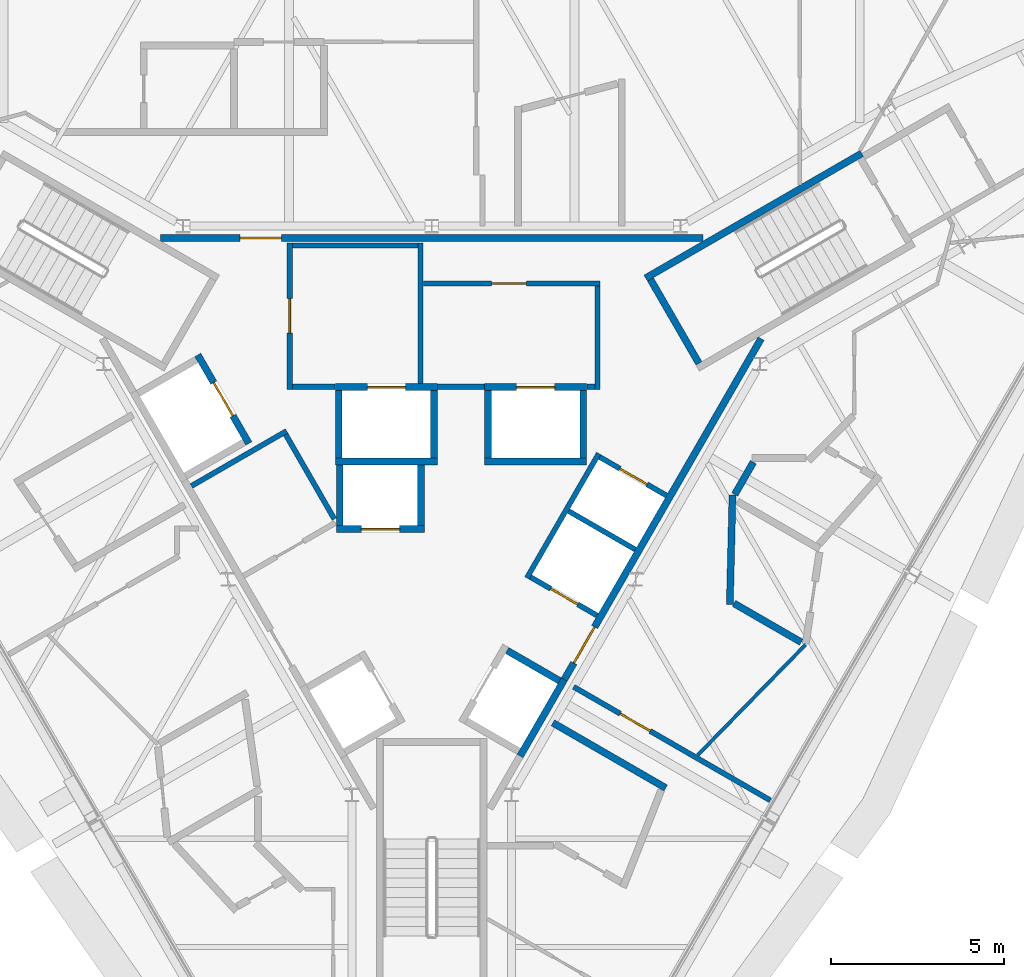
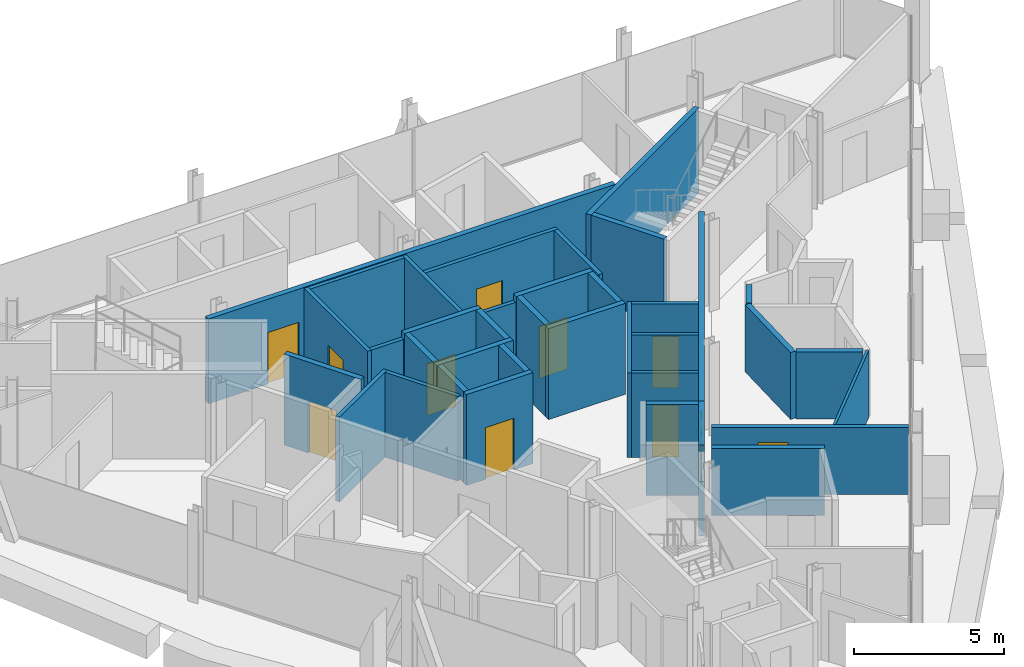
# One storey, part 9 of 13: 38 walls, 11 doors, 11 openings.
"""IFC4 building model written with IfcOpenShell, lengths in metres."""

from ifc_helpers import new_model, si_unit, direction, frame, frame_2d, origin, place, context, subcontext, project, spatial, rectangle, extrude, material, layer, layer_set, type_object, element, fill, save


model = new_model("IFC4")

# Units and contexts
model_context = context("Model", 3, precision=1e-05, world=origin(), true_north=direction((0.0, 1.0)))
body_context = subcontext(model_context, "Body", "Model", "MODEL_VIEW")
ifc_project = project(units=[si_unit("LENGTHUNIT", "METRE"), si_unit("AREAUNIT", "SQUARE_METRE"), si_unit("VOLUMEUNIT", "CUBIC_METRE"), si_unit("PLANEANGLEUNIT", "RADIAN"), si_unit("MASSUNIT", "GRAM", prefix="KILO")], contexts=[model_context])

# Site, building, storey
site_placement = place(None, origin())
site = spatial("IfcSite", under=ifc_project, at=site_placement, CompositionType="ELEMENT")
building_placement = place(site_placement, origin())
building = spatial("IfcBuilding", under=site, at=building_placement, Name="Verrane Prism Tower", CompositionType="ELEMENT")
storey_placement = place(building_placement, frame((0.0, 0.0, 282.5)))
storey = spatial("IfcBuildingStorey", under=building, at=storey_placement, Name="L71", CompositionType="ELEMENT", Elevation=282.5)

# Wall, opening, door
ifc_material_1 = material(Name="Gypsum board partition", Category="other")
ifc_layer_1 = layer(ifc_material_1, 0.199951171875)
ifc_layer_set_1 = layer_set([ifc_layer_1], Name="CW-200 core boundary wall 2 h")
wall_type_1 = type_object("IfcWallType", Name="CW-200 core boundary wall 2 h", PredefinedType="PARTITIONING", material=ifc_layer_set_1)
wall_1_placement = place(storey_placement, frame((7.8291015625, 6.4599609375, 0.0), z_axis=(0.0, 0.0, 1.0), x_axis=(-1.0, 0.0, 0.0)))
wall_1 = element("IfcWall", 1, at=wall_1_placement, inside=storey, type_object=wall_type_1, Name="Core boundary wall CW3-002", PredefinedType="PARTITIONING", context=body_context, shape_type="SweptSolid", body=[
    extrude(rectangle(XDim=15.658203125, YDim=0.199951171875, at=frame_2d((7.8291015625, 0.0))), origin(), (0.0, 0.0, 1.0), 3.449951171875),
])
opening_1_placement = place(wall_1_placement, frame((12.16796875, 0.0, 0.0)))
opening_1 = element("IfcOpeningElement", 2, at=opening_1_placement, cuts=wall_1, Name="Opening D69509", PredefinedType="OPENING", context=body_context, shape_type="SweptSolid", body=[
    extrude(rectangle(XDim=1.199951171875, YDim=2.10009765625, at=frame_2d((0.60009765625, 1.050048828125))), frame((0.0, 0.10986328125, 0.0), z_axis=(0.0, -1.0, 0.0), x_axis=(1.0, 0.0, 0.0)), (0.0, 0.0, 1.0), 0.219970703125),
])
ifc_material_2 = material(Name="Timber veneered door leaf", Category="wood")
door_type_1 = type_object("IfcDoorType", Name="DR-1200x2100 FD60 single leaf lift lobby", OperationType="NOTDEFINED", PredefinedType="DOOR", material=ifc_material_2)
door_1_placement = place(opening_1_placement, origin())
door_1 = element("IfcDoor", 3, at=door_1_placement, inside=storey, type_object=door_type_1, Name="Lift lobby door D69509", OperationType="SINGLE_SWING_RIGHT", OverallHeight=2.10009765625, OverallWidth=1.199951171875, PredefinedType="DOOR", context=body_context, shape_type="SweptSolid", body=[
    extrude(rectangle(XDim=1.199951171875, YDim=2.10009765625, at=frame_2d((0.60009765625, 1.050048828125))), frame((0.0, 0.02490234375, 0.0), z_axis=(0.0, -1.0, 0.0), x_axis=(1.0, 0.0, 0.0)), (0.0, 0.0, 1.0), 0.050048828125),
])
fill(opening_1, door_1)

wall_2_placement = place(storey_placement, frame((3.827880859375, -6.2900390625, 0.0), z_axis=(0.0, 0.0, 1.0), x_axis=(0.499979739078, 0.866037101117, 0.0)))
wall_2 = element("IfcWall", 4, at=wall_2_placement, inside=storey, type_object=wall_type_1, Name="Core boundary wall CW3-006", PredefinedType="PARTITIONING", context=body_context, shape_type="SweptSolid", body=[
    extrude(rectangle(XDim=11.36279296875, YDim=0.199951171875, at=frame_2d((5.681396484375, 0.0))), origin(), (0.0, 0.0, 1.0), 3.449951171875),
])
opening_2_placement = place(wall_2_placement, frame((0.550048828125, 0.0, 0.0)))
opening_2 = element("IfcOpeningElement", 5, at=opening_2_placement, cuts=wall_2, Name="Opening D69515", PredefinedType="OPENING", context=body_context, shape_type="SweptSolid", body=[
    extrude(rectangle(XDim=1.199951171875, YDim=2.10009765625, at=frame_2d((0.60009765625, 1.050048828125))), frame((0.0, 0.10986328125, 0.0), z_axis=(0.0, -1.0, 0.0), x_axis=(1.0, 0.0, 0.0)), (0.0, 0.0, 1.0), 0.219970703125),
])
door_2_placement = place(opening_2_placement, origin())
door_2 = element("IfcDoor", 6, at=door_2_placement, inside=storey, type_object=door_type_1, Name="Lift lobby door D69515", OperationType="SINGLE_SWING_RIGHT", OverallHeight=2.10009765625, OverallWidth=1.199951171875, PredefinedType="DOOR", context=body_context, shape_type="SweptSolid", body=[
    extrude(rectangle(XDim=1.199951171875, YDim=2.10009765625, at=frame_2d((0.60009765625, 1.050048828125))), frame((0.0, 0.02490234375, 0.0), z_axis=(0.0, -1.0, 0.0), x_axis=(1.0, 0.0, 0.0)), (0.0, 0.0, 1.0), 0.050048828125),
])
fill(opening_2, door_2)

# Walls
ifc_material_3 = material(Name="Concrete C40/50", Category="concrete")
ifc_layer_2 = layer(ifc_material_3, 0.199951171875)
ifc_layer_set_2 = layer_set([ifc_layer_2], Name="CW-200 stair core wall concrete C40/50 3 h")
wall_type_2 = type_object("IfcWallType", Name="CW-200 stair core wall concrete C40/50 3 h", PredefinedType="PARTITIONING", material=ifc_layer_set_2)
wall_3_placement = place(storey_placement, frame((6.17822265625, 5.299072265625, 0.0), z_axis=(0.0, 0.0, 1.0), x_axis=(0.866033125095, 0.499986626058, 0.0)))
element("IfcWall", 7, at=wall_3_placement, inside=storey, type_object=wall_type_2, Name="Stair 1 enclosure wall", PredefinedType="PARTITIONING", context=body_context, shape_type="SweptSolid", body=[
    extrude(rectangle(XDim=7.199951171875, YDim=0.199951171875, at=frame_2d((3.60009765625, 0.0))), origin(), (0.0, 0.0, 1.0), 3.449951171875),
])
wall_4_placement = place(storey_placement, frame((7.71484375, 2.837646484375, 0.0), z_axis=(0.0, 0.0, 1.0), x_axis=(-0.500049511043, 0.865996816683, 0.0)))
element("IfcWall", 8, at=wall_4_placement, inside=storey, type_object=wall_type_2, Name="Stair 1 enclosure wall", PredefinedType="PARTITIONING", context=body_context, shape_type="SweptSolid", body=[
    extrude(rectangle(XDim=2.800048828125, YDim=0.199951171875, at=frame_2d((1.39990234375, 0.0))), origin(), (0.0, 0.0, 1.0), 3.449951171875),
])

# Wall, opening, door
ifc_material_4 = material(Name="Gypsum board shaft wall assembly", Category="other")
ifc_layer_3 = layer(ifc_material_4, 0.199951171875)
ifc_layer_set_3 = layer_set([ifc_layer_3], Name="HW-200 lift shaft wall 2 h")
wall_type_3 = type_object("IfcWallType", Name="HW-200 lift shaft wall 2 h", PredefinedType="PARTITIONING", material=ifc_layer_set_3)
wall_5_placement = place(storey_placement, frame((-2.7548828125, -1.949951171875, 0.0), z_axis=(0.0, 0.0, 1.0), x_axis=(1.0, 0.0, 0.0)))
wall_5 = element("IfcWall", 9, at=wall_5_placement, inside=storey, type_object=wall_type_3, Name="Lift shaft wall", PredefinedType="PARTITIONING", context=body_context, shape_type="SweptSolid", body=[
    extrude(rectangle(XDim=2.5498046875, YDim=0.199951171875, at=frame_2d((1.27490234375, 0.0))), origin(), (0.0, 0.0, 1.0), 3.699951171875),
])
opening_3_placement = place(wall_5_placement, frame((0.72509765625, 0.0, 0.0)))
opening_3 = element("IfcOpeningElement", 10, at=opening_3_placement, cuts=wall_5, Name="Opening D69504", PredefinedType="OPENING", context=body_context, shape_type="SweptSolid", body=[
    extrude(rectangle(XDim=1.10009765625, YDim=2.10009765625, at=frame_2d((0.550048828125, 1.050048828125))), frame((0.0, 0.10986328125, 0.0), z_axis=(0.0, -1.0, 0.0), x_axis=(1.0, 0.0, 0.0)), (0.0, 0.0, 1.0), 0.219970703125),
])
ifc_material_5 = material(Name="Stainless steel sliding landing door", Category="steel")
door_type_2 = type_object("IfcDoorType", Name="LD-1100x2100 lift landing door FD90 sliding", OperationType="NOTDEFINED", PredefinedType="DOOR", material=ifc_material_5)
door_3_placement = place(opening_3_placement, origin())
door_3 = element("IfcDoor", 11, at=door_3_placement, inside=storey, type_object=door_type_2, Name="Bank C lift 2 landing door", OperationType="SLIDING_TO_RIGHT", OverallHeight=2.10009765625, OverallWidth=1.10009765625, PredefinedType="DOOR", context=body_context, shape_type="SweptSolid", body=[
    extrude(rectangle(XDim=1.10009765625, YDim=2.10009765625, at=frame_2d((0.550048828125, 1.050048828125))), frame((0.0, 0.02490234375, 0.0), z_axis=(0.0, -1.0, 0.0), x_axis=(1.0, 0.0, 0.0)), (0.0, 0.0, 1.0), 0.050048828125),
])
fill(opening_3, door_3)

# Walls
wall_6_placement = place(storey_placement, frame((-2.784912109375, 0.0, 0.0), z_axis=(0.0, 0.0, 1.0), x_axis=(1.0, 0.0, 0.0)))
element("IfcWall", 12, at=wall_6_placement, inside=storey, type_object=wall_type_3, Name="Lift shaft wall", PredefinedType="PARTITIONING", context=body_context, shape_type="SweptSolid", body=[
    extrude(rectangle(XDim=2.949951171875, YDim=0.199951171875, at=frame_2d((1.47509765625, 0.0))), origin(), (0.0, 0.0, 1.0), 3.699951171875),
])
wall_7_placement = place(storey_placement, frame((1.52490234375, 0.0, 0.0), z_axis=(0.0, 0.0, 1.0), x_axis=(1.0, 0.0, 0.0)))
element("IfcWall", 13, at=wall_7_placement, inside=storey, type_object=wall_type_3, Name="Lift shaft wall", PredefinedType="PARTITIONING", context=body_context, shape_type="SweptSolid", body=[
    extrude(rectangle(XDim=2.9501953125, YDim=0.199951171875, at=frame_2d((1.47509765625, 0.0))), origin(), (0.0, 0.0, 1.0), 3.699951171875),
])

# Wall, opening, door
wall_8_placement = place(storey_placement, frame((-2.784912109375, 2.14990234375, 0.0), z_axis=(0.0, 0.0, 1.0), x_axis=(1.0, 0.0, 0.0)))
wall_8 = element("IfcWall", 14, at=wall_8_placement, inside=storey, type_object=wall_type_3, Name="Lift shaft wall", PredefinedType="PARTITIONING", context=body_context, shape_type="SweptSolid", body=[
    extrude(rectangle(XDim=2.949951171875, YDim=0.199951171875, at=frame_2d((1.47509765625, 0.0))), origin(), (0.0, 0.0, 1.0), 3.699951171875),
])
opening_4_placement = place(wall_8_placement, frame((0.925048828125, 0.0, 0.0)))
opening_4 = element("IfcOpeningElement", 15, at=opening_4_placement, cuts=wall_8, Name="Opening D69506", PredefinedType="OPENING", context=body_context, shape_type="SweptSolid", body=[
    extrude(rectangle(XDim=1.10009765625, YDim=2.10009765625, at=frame_2d((0.550048828125, 1.050048828125))), frame((0.0, 0.10986328125, 0.0), z_axis=(0.0, -1.0, 0.0), x_axis=(1.0, 0.0, 0.0)), (0.0, 0.0, 1.0), 0.219970703125),
])
door_4_placement = place(opening_4_placement, origin())
door_4 = element("IfcDoor", 16, at=door_4_placement, inside=storey, type_object=door_type_2, Name="Fire service lift 1 landing door", OperationType="SLIDING_TO_LEFT", OverallHeight=2.10009765625, OverallWidth=1.10009765625, PredefinedType="DOOR", context=body_context, shape_type="SweptSolid", body=[
    extrude(rectangle(XDim=1.10009765625, YDim=2.10009765625, at=frame_2d((0.550048828125, 1.050048828125))), frame((0.0, 0.02490234375, 0.0), z_axis=(0.0, -1.0, 0.0), x_axis=(1.0, 0.0, 0.0)), (0.0, 0.0, 1.0), 0.050048828125),
])
fill(opening_4, door_4)

wall_9_placement = place(storey_placement, frame((1.52490234375, 2.14990234375, 0.0), z_axis=(0.0, 0.0, 1.0), x_axis=(1.0, 0.0, 0.0)))
wall_9 = element("IfcWall", 17, at=wall_9_placement, inside=storey, type_object=wall_type_3, Name="Lift shaft wall", PredefinedType="PARTITIONING", context=body_context, shape_type="SweptSolid", body=[
    extrude(rectangle(XDim=2.9501953125, YDim=0.199951171875, at=frame_2d((1.47509765625, 0.0))), origin(), (0.0, 0.0, 1.0), 3.699951171875),
])
opening_5_placement = place(wall_9_placement, frame((0.925048828125, 0.0, 0.0)))
opening_5 = element("IfcOpeningElement", 18, at=opening_5_placement, cuts=wall_9, Name="Opening D69507", PredefinedType="OPENING", context=body_context, shape_type="SweptSolid", body=[
    extrude(rectangle(XDim=1.10009765625, YDim=2.10009765625, at=frame_2d((0.550048828125, 1.050048828125))), frame((0.0, 0.10986328125, 0.0), z_axis=(0.0, -1.0, 0.0), x_axis=(1.0, 0.0, 0.0)), (0.0, 0.0, 1.0), 0.219970703125),
])
door_5_placement = place(opening_5_placement, origin())
door_5 = element("IfcDoor", 19, at=door_5_placement, inside=storey, type_object=door_type_2, Name="Fire service lift 2 landing door", OperationType="SLIDING_TO_RIGHT", OverallHeight=2.10009765625, OverallWidth=1.10009765625, PredefinedType="DOOR", context=body_context, shape_type="SweptSolid", body=[
    extrude(rectangle(XDim=1.10009765625, YDim=2.10009765625, at=frame_2d((0.550048828125, 1.050048828125))), frame((0.0, 0.02490234375, 0.0), z_axis=(0.0, -1.0, 0.0), x_axis=(1.0, 0.0, 0.0)), (0.0, 0.0, 1.0), 0.050048828125),
])
fill(opening_5, door_5)

# Walls
wall_10_placement = place(storey_placement, frame((2.552001953125, -8.499755859375, 0.0), z_axis=(0.0, 0.0, 1.0), x_axis=(0.499990435942, 0.866030925526, 0.0)))
element("IfcWall", 20, at=wall_10_placement, inside=storey, type_object=wall_type_3, Name="Lift shaft wall", PredefinedType="PARTITIONING", context=body_context, shape_type="SweptSolid", body=[
    extrude(rectangle(XDim=2.5498046875, YDim=0.199951171875, at=frame_2d((1.27490234375, 0.0))), origin(), (0.0, 0.0, 1.0), 3.699951171875),
])
for number, where, z_axis, x_axis, name in (
    (21, (4.375, 0.10009765625, 0.0), (0.0, 0.0, 1.0), (0.0, 1.0, 0.0), "Lift shaft wall"),
    (22, (1.625, 0.10009765625, 0.0), (0.0, 0.0, 1.0), (0.0, 1.0, 0.0), "Lift shaft wall"),
    (23, (0.06494140625, 0.10009765625, 0.0), (0.0, 0.0, 1.0), (0.0, 1.0, 0.0), "Lift shaft wall"),
):
    element("IfcWall", number, at=place(storey_placement, frame(where, z_axis=z_axis, x_axis=x_axis)), inside=storey, type_object=wall_type_3, Name=name, PredefinedType="PARTITIONING", context=body_context, shape_type="SweptSolid", body=[
        extrude(rectangle(XDim=1.949951171875, YDim=0.199951171875, at=frame_2d((0.97509765625, 0.0))), origin(), (0.0, 0.0, 1.0), 3.699951171875),
    ])
for number, where, z_axis, x_axis, name in (
    (24, (-0.304931640625, -1.85009765625, 0.0), (0.0, 0.0, 1.0), (0.0, 1.0, 0.0), "Lift shaft wall"),
    (25, (-2.655029296875, -1.85009765625, 0.0), (0.0, 0.0, 1.0), (0.0, 1.0, 0.0), "Lift shaft wall"),
):
    element("IfcWall", number, at=place(storey_placement, frame(where, z_axis=z_axis, x_axis=x_axis)), inside=storey, type_object=wall_type_3, Name=name, PredefinedType="PARTITIONING", context=body_context, shape_type="SweptSolid", body=[
        extrude(rectangle(XDim=1.75, YDim=0.199951171875, at=frame_2d((0.875, 0.0))), origin(), (0.0, 0.0, 1.0), 3.699951171875),
    ])
wall_11_placement = place(storey_placement, frame((-2.68505859375, 0.10009765625, 0.0), z_axis=(0.0, 0.0, 1.0), x_axis=(0.0, 1.0, 0.0)))
element("IfcWall", 26, at=wall_11_placement, inside=storey, type_object=wall_type_3, Name="Lift shaft wall", PredefinedType="PARTITIONING", context=body_context, shape_type="SweptSolid", body=[
    extrude(rectangle(XDim=1.949951171875, YDim=0.199951171875, at=frame_2d((0.97509765625, 0.0))), origin(), (0.0, 0.0, 1.0), 3.699951171875),
])

# Wall, opening, door
wall_12_placement = place(storey_placement, frame((-5.280029296875, 0.525390625, 0.0), z_axis=(0.0, 0.0, 1.0), x_axis=(-0.500037662692, 0.866003658127, 0.0)))
wall_12 = element("IfcWall", 27, at=wall_12_placement, inside=storey, type_object=wall_type_3, Name="Lift shaft wall", PredefinedType="PARTITIONING", context=body_context, shape_type="SweptSolid", body=[
    extrude(rectangle(XDim=2.949951171875, YDim=0.199951171875, at=frame_2d((1.47509765625, 0.0))), origin(), (0.0, 0.0, 1.0), 3.699951171875),
])
opening_6_placement = place(wall_12_placement, frame((0.925048828125, 0.0, 0.0)))
opening_6 = element("IfcOpeningElement", 28, at=opening_6_placement, cuts=wall_12, Name="Opening D69508", PredefinedType="OPENING", context=body_context, shape_type="SweptSolid", body=[
    extrude(rectangle(XDim=1.10009765625, YDim=2.10009765625, at=frame_2d((0.550048828125, 1.050048828125))), frame((0.0, 0.10986328125, 0.0), z_axis=(0.0, -1.0, 0.0), x_axis=(1.0, 0.0, 0.0)), (0.0, 0.0, 1.0), 0.219970703125),
])
door_6_placement = place(opening_6_placement, origin())
door_6 = element("IfcDoor", 29, at=door_6_placement, inside=storey, type_object=door_type_2, Name="Service lift 1 landing door", OperationType="SLIDING_TO_LEFT", OverallHeight=2.10009765625, OverallWidth=1.10009765625, PredefinedType="DOOR", context=body_context, shape_type="SweptSolid", body=[
    extrude(rectangle(XDim=1.10009765625, YDim=2.10009765625, at=frame_2d((0.550048828125, 1.050048828125))), frame((0.0, 0.02490234375, 0.0), z_axis=(0.0, -1.0, 0.0), x_axis=(1.0, 0.0, 0.0)), (0.0, 0.0, 1.0), 0.050048828125),
])
fill(opening_6, door_6)

# Wall
wall_13_placement = place(storey_placement, frame((3.6904296875, -6.327880859375, 0.0), z_axis=(0.0, 0.0, 1.0), x_axis=(-0.866036909293, 0.499980071345, 0.0)))
element("IfcWall", 30, at=wall_13_placement, inside=storey, type_object=wall_type_3, Name="Lift shaft wall", PredefinedType="PARTITIONING", context=body_context, shape_type="SweptSolid", body=[
    extrude(rectangle(XDim=1.75, YDim=0.199951171875, at=frame_2d((0.875, 0.0))), origin(), (0.0, 0.0, 1.0), 3.699951171875),
])

# Wall, opening, door
ifc_material_6 = material(Name="Gypsum board partition", Category="other")
ifc_layer_4 = layer(ifc_material_6, 0.14990234375)
ifc_layer_set_4 = layer_set([ifc_layer_4], Name="LF-150 firefighting lobby wall 1 h")
wall_type_4 = type_object("IfcWallType", Name="LF-150 firefighting lobby wall 1 h", PredefinedType="PARTITIONING", material=ifc_layer_set_4)
wall_14_placement = place(storey_placement, frame((-4.10009765625, 2.0849609375, 0.0), z_axis=(0.0, 0.0, 1.0), x_axis=(0.0, 1.0, 0.0)))
wall_14 = element("IfcWall", 31, at=wall_14_placement, inside=storey, type_object=wall_type_4, Name="Firefighting lobby wall LF1-001", PredefinedType="PARTITIONING", context=body_context, shape_type="SweptSolid", body=[
    extrude(rectangle(XDim=4.22998046875, YDim=0.14990234375, at=frame_2d((2.114990234375, 0.0))), origin(), (0.0, 0.0, 1.0), 3.449951171875),
])
opening_7_placement = place(wall_14_placement, frame((1.625, 0.0, 0.0)))
opening_7 = element("IfcOpeningElement", 32, at=opening_7_placement, cuts=wall_14, Name="Opening D69512", PredefinedType="OPENING", context=body_context, shape_type="SweptSolid", body=[
    extrude(rectangle(XDim=1.0, YDim=2.10009765625, at=frame_2d((0.5, 1.050048828125))), frame((0.0, 0.0849609375, 0.0), z_axis=(0.0, -1.0, 0.0), x_axis=(1.0, 0.0, 0.0)), (0.0, 0.0, 1.0), 0.169921875),
])
ifc_material_7 = material(Name="Timber veneered door leaf", Category="wood")
door_type_3 = type_object("IfcDoorType", Name="DR-1000x2100 FD60 single leaf firefighting lobby", OperationType="NOTDEFINED", PredefinedType="DOOR", material=ifc_material_7)
door_7_placement = place(opening_7_placement, origin())
door_7 = element("IfcDoor", 33, at=door_7_placement, inside=storey, type_object=door_type_3, Name="Firefighting lobby door D69512", OperationType="SINGLE_SWING_RIGHT", OverallHeight=2.10009765625, OverallWidth=1.0, PredefinedType="DOOR", context=body_context, shape_type="SweptSolid", body=[
    extrude(rectangle(XDim=1.0, YDim=2.10009765625, at=frame_2d((0.5, 1.050048828125))), frame((0.0, 0.02490234375, 0.0), z_axis=(0.0, -1.0, 0.0), x_axis=(1.0, 0.0, 0.0)), (0.0, 0.0, 1.0), 0.050048828125),
])
fill(opening_7, door_7)

# Walls
wall_15_placement = place(storey_placement, frame((-4.02490234375, 2.159912109375, 0.0), z_axis=(0.0, 0.0, 1.0), x_axis=(1.0, 0.0, 0.0)))
element("IfcWall", 34, at=wall_15_placement, inside=storey, type_object=wall_type_4, Name="Firefighting lobby wall LF1-002", PredefinedType="PARTITIONING", context=body_context, shape_type="SweptSolid", body=[
    extrude(rectangle(XDim=1.23779296875, YDim=0.14990234375, at=frame_2d((0.618896484375, 0.0))), origin(), (0.0, 0.0, 1.0), 3.449951171875),
])
wall_16_placement = place(storey_placement, frame((-4.02490234375, 6.239990234375, 0.0), z_axis=(0.0, 0.0, 1.0), x_axis=(1.0, 0.0, 0.0)))
element("IfcWall", 35, at=wall_16_placement, inside=storey, type_object=wall_type_4, Name="Firefighting lobby wall LF1-003", PredefinedType="PARTITIONING", context=body_context, shape_type="SweptSolid", body=[
    extrude(rectangle(XDim=3.6298828125, YDim=0.14990234375, at=frame_2d((1.81494140625, 0.0))), origin(), (0.0, 0.0, 1.0), 3.449951171875),
])
wall_17_placement = place(storey_placement, frame((-0.320068359375, 2.251953125, 0.0), z_axis=(0.0, 0.0, 1.0), x_axis=(0.0, 1.0, 0.0)))
element("IfcWall", 36, at=wall_17_placement, inside=storey, type_object=wall_type_4, Name="Firefighting lobby wall LF1-004", PredefinedType="PARTITIONING", context=body_context, shape_type="SweptSolid", body=[
    extrude(rectangle(XDim=4.06298828125, YDim=0.14990234375, at=frame_2d((2.031494140625, 0.0))), origin(), (0.0, 0.0, 1.0), 3.449951171875),
])

# Wall, opening, door
wall_18_placement = place(storey_placement, frame((-0.2451171875, 5.139892578125, 0.0), z_axis=(0.0, 0.0, 1.0), x_axis=(1.0, 0.0, 0.0)))
wall_18 = element("IfcWall", 37, at=wall_18_placement, inside=storey, type_object=wall_type_4, Name="Firefighting lobby wall LF1-005", PredefinedType="PARTITIONING", context=body_context, shape_type="SweptSolid", body=[
    extrude(rectangle(XDim=5.110107421875, YDim=0.14990234375, at=frame_2d((2.55517578125, 0.0))), origin(), (0.0, 0.0, 1.0), 3.449951171875),
])
opening_8_placement = place(wall_18_placement, frame((1.97509765625, 0.0, 0.0)))
opening_8 = element("IfcOpeningElement", 38, at=opening_8_placement, cuts=wall_18, Name="Opening D69513", PredefinedType="OPENING", context=body_context, shape_type="SweptSolid", body=[
    extrude(rectangle(XDim=1.0, YDim=2.10009765625, at=frame_2d((0.5, 1.050048828125))), frame((0.0, 0.0849609375, 0.0), z_axis=(0.0, -1.0, 0.0), x_axis=(1.0, 0.0, 0.0)), (0.0, 0.0, 1.0), 0.169921875),
])
door_8_placement = place(opening_8_placement, origin())
door_8 = element("IfcDoor", 39, at=door_8_placement, inside=storey, type_object=door_type_3, Name="Firefighting lobby door D69513", OperationType="SINGLE_SWING_LEFT", OverallHeight=2.10009765625, OverallWidth=1.0, PredefinedType="DOOR", context=body_context, shape_type="SweptSolid", body=[
    extrude(rectangle(XDim=1.0, YDim=2.10009765625, at=frame_2d((0.5, 1.050048828125))), frame((0.0, 0.02490234375, 0.0), z_axis=(0.0, -1.0, 0.0), x_axis=(1.0, 0.0, 0.0)), (0.0, 0.0, 1.0), 0.050048828125),
])
fill(opening_8, door_8)

# Walls
wall_19_placement = place(storey_placement, frame((0.1669921875, 2.159912109375, 0.0), z_axis=(0.0, 0.0, 1.0), x_axis=(1.0, 0.0, 0.0)))
element("IfcWall", 40, at=wall_19_placement, inside=storey, type_object=wall_type_4, Name="Firefighting lobby wall LF1-006", PredefinedType="PARTITIONING", context=body_context, shape_type="SweptSolid", body=[
    extrude(rectangle(XDim=1.35595703125, YDim=0.14990234375, at=frame_2d((0.677978515625, 0.0))), origin(), (0.0, 0.0, 1.0), 3.449951171875),
])
wall_20_placement = place(storey_placement, frame((4.47705078125, 2.159912109375, 0.0), z_axis=(0.0, 0.0, 1.0), x_axis=(1.0, 0.0, 0.0)))
element("IfcWall", 41, at=wall_20_placement, inside=storey, type_object=wall_type_4, Name="Firefighting lobby wall LF1-007", PredefinedType="PARTITIONING", context=body_context, shape_type="SweptSolid", body=[
    extrude(rectangle(XDim=0.238037109375, YDim=0.14990234375, at=frame_2d((0.119140625, 0.0))), origin(), (0.0, 0.0, 1.0), 3.449951171875),
])
wall_21_placement = place(storey_placement, frame((4.7900390625, 2.0849609375, 0.0), z_axis=(0.0, 0.0, 1.0), x_axis=(0.0, 1.0, 0.0)))
element("IfcWall", 42, at=wall_21_placement, inside=storey, type_object=wall_type_4, Name="Firefighting lobby wall LF1-008", PredefinedType="PARTITIONING", context=body_context, shape_type="SweptSolid", body=[
    extrude(rectangle(XDim=2.97998046875, YDim=0.14990234375, at=frame_2d((1.489990234375, 0.0))), origin(), (0.0, 0.0, 1.0), 3.449951171875),
])
ifc_material_8 = material(Name="Gypsum board partition", Category="other")
ifc_layer_5 = layer(ifc_material_8, 0.10009765625)
ifc_layer_set_5 = layer_set([ifc_layer_5], Name="PW-100 room partition")
wall_type_5 = type_object("IfcWallType", Name="PW-100 room partition", PredefinedType="PARTITIONING", material=ifc_layer_set_5)
wall_22_placement = place(storey_placement, frame((7.68212890625, -8.470458984375, 0.0), z_axis=(0.0, 0.0, 1.0), x_axis=(0.698777378461, 0.715339203002, 0.0)))
element("IfcWall", 43, at=wall_22_placement, inside=storey, type_object=wall_type_5, Name="Room partition 055", PredefinedType="PARTITIONING", context=body_context, shape_type="SweptSolid", body=[
    extrude(rectangle(XDim=4.451904296875, YDim=0.10009765625, at=frame_2d((2.22607421875, 0.0))), origin(), (0.0, 0.0, 1.0), 2.722900390625),
])

# Wall, opening, door
ifc_material_9 = material(Name="Gypsum board partition", Category="other")
ifc_layer_6 = layer(ifc_material_9, 0.14990234375)
ifc_layer_set_6 = layer_set([ifc_layer_6], Name="PW-150 demising wall 1 h")
wall_type_6 = type_object("IfcWallType", Name="PW-150 demising wall 1 h", PredefinedType="PARTITIONING", material=ifc_layer_set_6)
wall_23_placement = place(storey_placement, frame((9.771728515625, -9.77685546875, 0.0), z_axis=(0.0, 0.0, 1.0), x_axis=(-0.866083818164, 0.499898809675, 0.0)))
wall_23 = element("IfcWall", 44, at=wall_23_placement, inside=storey, type_object=wall_type_6, Name="Demising wall 052", PredefinedType="PARTITIONING", context=body_context, shape_type="SweptSolid", body=[
    extrude(rectangle(XDim=6.551025390625, YDim=0.14990234375, at=frame_2d((3.275390625, 0.0))), origin(), (0.0, 0.0, 1.0), 2.722900390625),
])
opening_9_placement = place(wall_23_placement, frame((4.0009765625, 0.0, 0.0)))
opening_9 = element("IfcOpeningElement", 45, at=opening_9_placement, cuts=wall_23, Name="Opening D69002", PredefinedType="OPENING", context=body_context, shape_type="SweptSolid", body=[
    extrude(rectangle(XDim=1.0, YDim=2.10009765625, at=frame_2d((0.5, 1.050048828125))), frame((0.0, 0.0849609375, 0.0), z_axis=(0.0, -1.0, 0.0), x_axis=(1.0, 0.0, 0.0)), (0.0, 0.0, 1.0), 0.169921875),
])
ifc_material_10 = material(Name="Timber veneered door leaf", Category="wood")
door_type_4 = type_object("IfcDoorType", Name="DR-1000x2100 FD20 single leaf inner", OperationType="NOTDEFINED", PredefinedType="DOOR", material=ifc_material_10)
door_9_placement = place(opening_9_placement, origin())
door_9 = element("IfcDoor", 46, at=door_9_placement, inside=storey, type_object=door_type_4, Name="Entrance Foyer door", OperationType="SINGLE_SWING_LEFT", OverallHeight=2.10009765625, OverallWidth=1.0, PredefinedType="DOOR", context=body_context, shape_type="SweptSolid", body=[
    extrude(rectangle(XDim=1.0, YDim=2.10009765625, at=frame_2d((0.5, 1.050048828125))), frame((0.0, 0.02490234375, 0.0), z_axis=(0.0, -1.0, 0.0), x_axis=(1.0, 0.0, 0.0)), (0.0, 0.0, 1.0), 0.050048828125),
])
fill(opening_9, door_9)

# Walls
ifc_material_11 = material(Name="Gypsum board partition", Category="other")
ifc_layer_7 = layer(ifc_material_11, 0.199951171875)
ifc_layer_set_7 = layer_set([ifc_layer_7], Name="PW-200 plumbing wall")
wall_type_7 = type_object("IfcWallType", Name="PW-200 plumbing wall", PredefinedType="PARTITIONING", material=ifc_layer_set_7)
wall_24_placement = place(storey_placement, frame((3.498046875, -7.541015625, 0.0), z_axis=(0.0, 0.0, 1.0), x_axis=(0.865985624761, -0.500068892961, 0.0)))
element("IfcWall", 47, at=wall_24_placement, inside=storey, type_object=wall_type_7, Name="Plumbing wall 050", PredefinedType="PARTITIONING", context=body_context, shape_type="SweptSolid", body=[
    extrude(rectangle(XDim=3.76171875, YDim=0.199951171875, at=frame_2d((1.880859375, 0.0))), origin(), (0.0, 0.0, 1.0), 2.722900390625),
])
wall_25_placement = place(storey_placement, frame((8.606689453125, -4.125, 0.0), z_axis=(0.0, 0.0, 1.0), x_axis=(0.024245593124, 0.999706032399, 0.0)))
element("IfcWall", 48, at=wall_25_placement, inside=storey, type_object=wall_type_7, Name="Plumbing wall 056", PredefinedType="PARTITIONING", context=body_context, shape_type="SweptSolid", body=[
    extrude(rectangle(XDim=3.161865234375, YDim=0.199951171875, at=frame_2d((1.5810546875, 0.0))), origin(), (0.0, 0.0, 1.0), 2.722900390625),
])
wall_26_placement = place(storey_placement, frame((8.725830078125, -4.092529296875, 0.0), z_axis=(0.0, 0.0, 1.0), x_axis=(0.866056839033, -0.499945548598, 0.0)))
element("IfcWall", 49, at=wall_26_placement, inside=storey, type_object=wall_type_7, Name="Plumbing wall 057", PredefinedType="PARTITIONING", context=body_context, shape_type="SweptSolid", body=[
    extrude(rectangle(XDim=2.241943359375, YDim=0.199951171875, at=frame_2d((1.12109375, 0.0))), origin(), (0.0, 0.0, 1.0), 2.722900390625),
])
wall_27_placement = place(storey_placement, frame((8.74853515625, -0.947021484375, 0.0), z_axis=(0.0, 0.0, 1.0), x_axis=(0.499656913366, 0.866223394354, 0.0)))
element("IfcWall", 50, at=wall_27_placement, inside=storey, type_object=wall_type_7, Name="Plumbing wall 058", PredefinedType="PARTITIONING", context=body_context, shape_type="SweptSolid", body=[
    extrude(rectangle(XDim=1.074951171875, YDim=0.199951171875, at=frame_2d((0.53759765625, 0.0))), origin(), (0.0, 0.0, 1.0), 2.722900390625),
])
ifc_material_12 = material(Name="Gypsum board partition", Category="other")
ifc_layer_8 = layer(ifc_material_12, 0.14990234375)
ifc_layer_set_8 = layer_set([ifc_layer_8], Name="RS-150 riser enclosure wall 1 h")
wall_type_8 = type_object("IfcWallType", Name="RS-150 riser enclosure wall 1 h", PredefinedType="PARTITIONING", material=ifc_layer_set_8)
wall_28_placement = place(storey_placement, frame((-6.9375, -0.702880859375, 0.0), z_axis=(0.0, 0.0, 1.0), x_axis=(0.866029357279, 0.499993152284, 0.0)))
element("IfcWall", 51, at=wall_28_placement, inside=storey, type_object=wall_type_8, Name="Riser wall RS3-001", PredefinedType="PARTITIONING", context=body_context, shape_type="SweptSolid", body=[
    extrude(rectangle(XDim=3.1748046875, YDim=0.14990234375, at=frame_2d((1.58740234375, 0.0))), origin(), (0.0, 0.0, 1.0), 3.449951171875),
])
wall_29_placement = place(storey_placement, frame((-4.215576171875, 0.781982421875, 0.0), z_axis=(0.0, 0.0, 1.0), x_axis=(0.498733469436, -0.866755401751, 0.0)))
element("IfcWall", 52, at=wall_29_placement, inside=storey, type_object=wall_type_8, Name="Riser wall RS3-003", PredefinedType="PARTITIONING", context=body_context, shape_type="SweptSolid", body=[
    extrude(rectangle(XDim=2.814697265625, YDim=0.14990234375, at=frame_2d((1.4072265625, 0.0))), origin(), (0.0, 0.0, 1.0), 3.449951171875),
])
wall_30_placement = place(storey_placement, frame((2.74853515625, -3.35888671875, 0.0), z_axis=(0.0, 0.0, 1.0), x_axis=(0.500017827812, 0.866015110648, 0.0)))
element("IfcWall", 53, at=wall_30_placement, inside=storey, type_object=wall_type_8, Name="Riser wall RS3-004", PredefinedType="PARTITIONING", context=body_context, shape_type="SweptSolid", body=[
    extrude(rectangle(XDim=4.149658203125, YDim=0.14990234375, at=frame_2d((2.07470703125, 0.0))), origin(), (0.0, 0.0, 1.0), 3.449951171875),
])

# Wall, opening, door
wall_31_placement = place(storey_placement, frame((2.85107421875, -3.33154296875, 0.0), z_axis=(0.0, 0.0, 1.0), x_axis=(0.866110524189, -0.499852538144, 0.0)))
wall_31 = element("IfcWall", 54, at=wall_31_placement, inside=storey, type_object=wall_type_8, Name="Riser wall RS3-005", PredefinedType="PARTITIONING", context=body_context, shape_type="SweptSolid", body=[
    extrude(rectangle(XDim=2.220458984375, YDim=0.14990234375, at=frame_2d((1.1103515625, 0.0))), origin(), (0.0, 0.0, 1.0), 3.449951171875),
])
opening_10_placement = place(wall_31_placement, frame((0.675048828125, 0.0, 0.0)))
opening_10 = element("IfcOpeningElement", 55, at=opening_10_placement, cuts=wall_31, Name="Opening D69514", PredefinedType="OPENING", context=body_context, shape_type="SweptSolid", body=[
    extrude(rectangle(XDim=0.89990234375, YDim=2.10009765625, at=frame_2d((0.449951171875, 1.050048828125))), frame((0.0, 0.0849609375, 0.0), z_axis=(0.0, -1.0, 0.0), x_axis=(1.0, 0.0, 0.0)), (0.0, 0.0, 1.0), 0.169921875),
])
ifc_material_13 = material(Name="Timber veneered door leaf", Category="wood")
door_type_5 = type_object("IfcDoorType", Name="DR-900x2100 FD60 single leaf riser", OperationType="NOTDEFINED", PredefinedType="DOOR", material=ifc_material_13)
door_10_placement = place(opening_10_placement, origin())
door_10 = element("IfcDoor", 56, at=door_10_placement, inside=storey, type_object=door_type_5, Name="Riser door D69514", OperationType="SINGLE_SWING_RIGHT", OverallHeight=2.10009765625, OverallWidth=0.89990234375, PredefinedType="DOOR", context=body_context, shape_type="SweptSolid", body=[
    extrude(rectangle(XDim=0.89990234375, YDim=2.10009765625, at=frame_2d((0.449951171875, 1.050048828125))), frame((0.0, 0.02490234375, 0.0), z_axis=(0.0, -1.0, 0.0), x_axis=(1.0, 0.0, 0.0)), (0.0, 0.0, 1.0), 0.050048828125),
])
fill(opening_10, door_10)

# Wall
wall_32_placement = place(storey_placement, frame((3.950927734375, -1.426513671875, 0.0), z_axis=(0.0, 0.0, 1.0), x_axis=(0.866062920605, -0.499935013329, 0.0)))
element("IfcWall", 57, at=wall_32_placement, inside=storey, type_object=wall_type_8, Name="Riser wall RS3-006", PredefinedType="PARTITIONING", context=body_context, shape_type="SweptSolid", body=[
    extrude(rectangle(XDim=2.220458984375, YDim=0.14990234375, at=frame_2d((1.1103515625, 0.0))), origin(), (0.0, 0.0, 1.0), 3.449951171875),
])

# Wall, opening, door
wall_33_placement = place(storey_placement, frame((6.774169921875, -0.9775390625, 0.0), z_axis=(0.0, 0.0, 1.0), x_axis=(-0.866062920605, 0.499935013329, 0.0)))
wall_33 = element("IfcWall", 58, at=wall_33_placement, inside=storey, type_object=wall_type_8, Name="Riser wall RS3-007", PredefinedType="PARTITIONING", context=body_context, shape_type="SweptSolid", body=[
    extrude(rectangle(XDim=2.220458984375, YDim=0.14990234375, at=frame_2d((1.1103515625, 0.0))), origin(), (0.0, 0.0, 1.0), 3.449951171875),
])
opening_11_placement = place(wall_33_placement, frame((0.6455078125, 0.0, 0.0)))
opening_11 = element("IfcOpeningElement", 59, at=opening_11_placement, cuts=wall_33, Name="Opening D69516", PredefinedType="OPENING", context=body_context, shape_type="SweptSolid", body=[
    extrude(rectangle(XDim=0.89990234375, YDim=2.10009765625, at=frame_2d((0.449951171875, 1.050048828125))), frame((0.0, 0.0849609375, 0.0), z_axis=(0.0, -1.0, 0.0), x_axis=(1.0, 0.0, 0.0)), (0.0, 0.0, 1.0), 0.169921875),
])
door_11_placement = place(opening_11_placement, origin())
door_11 = element("IfcDoor", 60, at=door_11_placement, inside=storey, type_object=door_type_5, Name="Riser door D69516", OperationType="SINGLE_SWING_RIGHT", OverallHeight=2.10009765625, OverallWidth=0.89990234375, PredefinedType="DOOR", context=body_context, shape_type="SweptSolid", body=[
    extrude(rectangle(XDim=0.89990234375, YDim=2.10009765625, at=frame_2d((0.449951171875, 1.050048828125))), frame((0.0, 0.02490234375, 0.0), z_axis=(0.0, -1.0, 0.0), x_axis=(1.0, 0.0, 0.0)), (0.0, 0.0, 1.0), 0.050048828125),
])
fill(opening_11, door_11)

save(model, "model.ifc")
